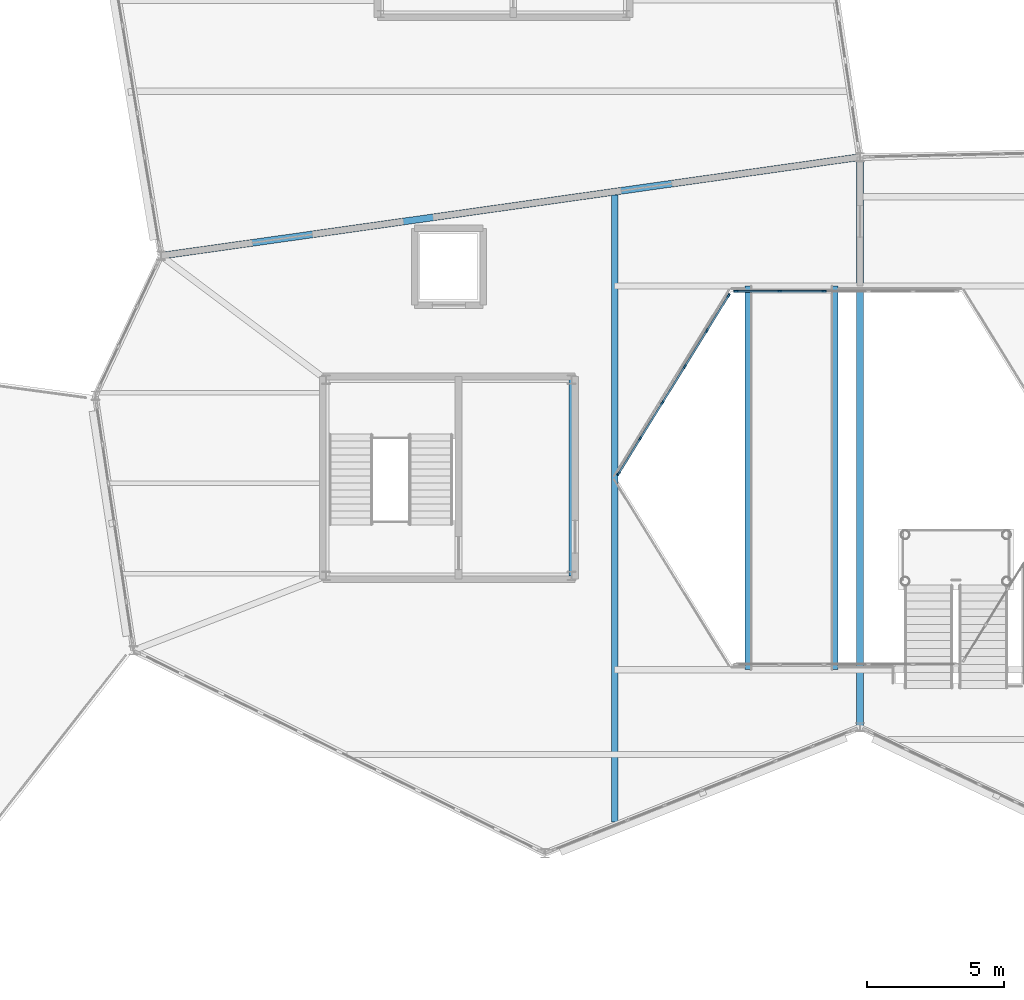
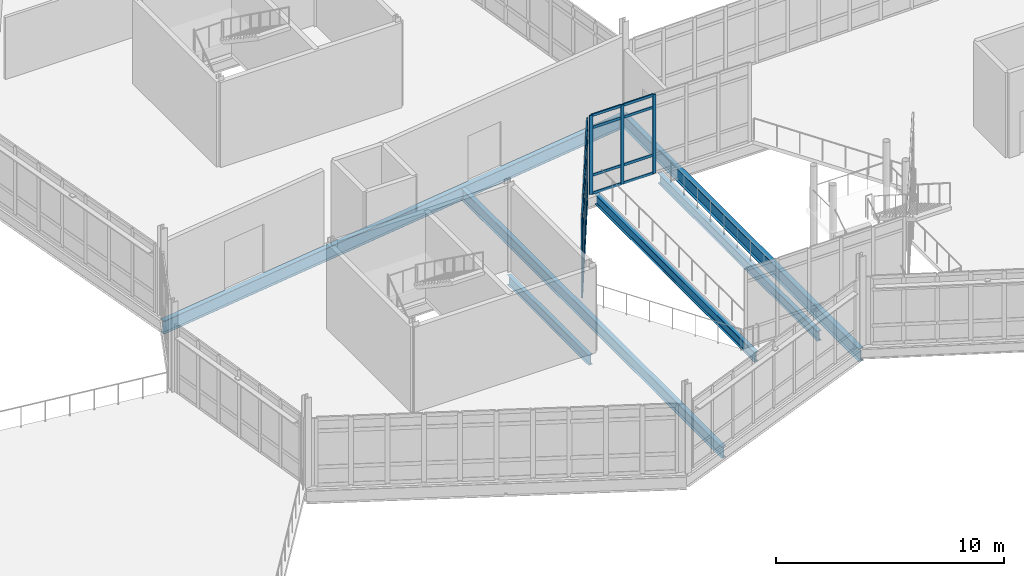
# One storey, part 34 of 114: 37 members, 6 beams, 2 elements without a shape of their own.
"""IFC4 building model written with IfcOpenShell, lengths in metres."""

from ifc_helpers import new_model, si_unit, direction, frame, origin, origin_2d, place, context, subcontext, project, spatial, rectangle, i_section, extrude, material, material_profile, profile_set, type_object, element, aggregate, save


model = new_model("IFC4")

# Units and contexts
model_context = context("Model", 3, precision=1e-05, world=origin(), true_north=direction((0.0, 1.0)))
body_context = subcontext(model_context, "Body", "Model", "MODEL_VIEW")
ifc_project = project(units=[si_unit("LENGTHUNIT", "METRE"), si_unit("AREAUNIT", "SQUARE_METRE"), si_unit("VOLUMEUNIT", "CUBIC_METRE"), si_unit("PLANEANGLEUNIT", "RADIAN"), si_unit("MASSUNIT", "GRAM", prefix="KILO")], contexts=[model_context])

# Site, building, storey
site_placement = place(None, origin())
site = spatial("IfcSite", under=ifc_project, at=site_placement, CompositionType="ELEMENT")
building_placement = place(site_placement, origin())
building = spatial("IfcBuilding", under=site, at=building_placement, Name="Tameran Prism Museum", CompositionType="ELEMENT")
storey_placement = place(building_placement, frame((0.0, 0.0, 10.199951171875)))
storey = spatial("IfcBuildingStorey", under=building, at=storey_placement, Name="L02", CompositionType="ELEMENT", Elevation=10.199951171875)

# Beams
ifc_material_1 = material(Name="Steel Grade 300PLUS (300 MPa)", Category="steel")
ifc_material_profile_1 = material_profile(ifc_material_1, i_section(OverallWidth=0.208984375, OverallDepth=0.532958984375, WebThickness=0.01025390625, FlangeThickness=0.015625, FilletRadius=0.013916015625, at=origin_2d()))
ifc_profile_set_1 = profile_set([ifc_material_profile_1])
beam_type_1 = type_object("IfcBeamType", Name="BM-SP530A", PredefinedType="SPANDREL", material=ifc_profile_set_1)
for number, where, z_axis, x_axis, name in (
    (1, (73.39990234375, 29.5, -0.5), (0.0, 1.0, 0.0), (-1.0, 0.0, 0.0), "Atrium Bridge Girder BG-1452"),
    (2, (76.60009765625, 29.5, -0.5), (0.0, 1.0, 0.0), (-1.0, 0.0, 0.0), "Atrium Bridge Girder BG-1453"),
):
    element("IfcBeam", number, at=place(storey_placement, frame(where, z_axis=z_axis, x_axis=x_axis)), inside=storey, type_object=beam_type_1, Name=name, PredefinedType="SPANDREL", context=body_context, shape_type="SweptSolid", body=[
        extrude(i_section(OverallWidth=0.208984375, OverallDepth=0.532958984375, WebThickness=0.01025390625, FlangeThickness=0.015625, FilletRadius=0.013916015625, at=origin_2d()), origin(), (0.0, 0.0, 1.0), 14.0),
    ])
ifc_material_2 = material(Name="Steel Grade 300PLUS (300 MPa)", Category="steel")
ifc_material_profile_2 = material_profile(ifc_material_2, i_section(OverallWidth=0.208984375, OverallDepth=0.528076171875, WebThickness=0.009521484375, FlangeThickness=0.01318359375, FilletRadius=0.013916015625, at=origin_2d()))
ifc_profile_set_2 = profile_set([ifc_material_profile_2])
beam_type_2 = type_object("IfcBeamType", Name="BM-SP530B", PredefinedType="SPANDREL", material=ifc_profile_set_2)
beam_1_placement = place(storey_placement, frame((66.97998046875, 32.919921875, -0.50390625), z_axis=(0.0, 1.0, 0.0), x_axis=(-1.0, 0.0, 0.0)))
element("IfcBeam", 3, at=beam_1_placement, inside=storey, type_object=beam_type_2, Name="Core Ring Beam CTB-0770", PredefinedType="SPANDREL", context=body_context, shape_type="SweptSolid", body=[
    extrude(i_section(OverallWidth=0.208984375, OverallDepth=0.528076171875, WebThickness=0.009521484375, FlangeThickness=0.01318359375, FilletRadius=0.013916015625, at=origin_2d()), origin(), (0.0, 0.0, 1.0), 7.16015625),
])
ifc_material_3 = material(Name="Steel Grade 350 (350 MPa)", Category="steel")
ifc_material_profile_3 = material_profile(ifc_material_3, i_section(OverallWidth=0.25, OverallDepth=0.699951171875, WebThickness=0.010009765625, FlangeThickness=0.02001953125, at=origin_2d()))
ifc_profile_set_3 = profile_set([ifc_material_profile_3])
beam_type_3 = type_object("IfcBeamType", Name="BM-SP700", PredefinedType="SPANDREL", material=ifc_profile_set_3)
beam_2_placement = place(storey_placement, frame((77.5, 27.39990234375, -0.550048828125), z_axis=(0.0, 1.0, 0.0), x_axis=(-1.0, 0.0, 0.0)))
element("IfcBeam", 4, at=beam_2_placement, inside=storey, type_object=beam_type_3, Name="Perimeter Spandrel SP-0682", PredefinedType="SPANDREL", context=body_context, shape_type="SweptSolid", body=[
    extrude(i_section(OverallWidth=0.25, OverallDepth=0.699951171875, WebThickness=0.010009765625, FlangeThickness=0.02001953125, at=origin_2d()), origin(), (0.0, 0.0, 1.0), 20.800048828125),
])
beam_3_placement = place(storey_placement, frame((77.5, 48.199951171875, -0.550048828125), z_axis=(-0.990181921375, -0.139784700815, 0.0), x_axis=(0.139784700815, -0.990181921375, 0.0)))
element("IfcBeam", 5, at=beam_3_placement, inside=storey, type_object=beam_type_3, Name="Perimeter Spandrel SP-0683", PredefinedType="SPANDREL", context=body_context, shape_type="SweptSolid", body=[
    extrude(i_section(OverallWidth=0.25, OverallDepth=0.699951171875, WebThickness=0.010009765625, FlangeThickness=0.02001953125, at=origin_2d()), origin(), (0.0, 0.0, 1.0), 25.7529296875),
])
ifc_material_4 = material(Name="Steel Grade 300PLUS (300 MPa)", Category="steel")
ifc_material_profile_4 = material_profile(ifc_material_4, i_section(OverallWidth=0.22900390625, OverallDepth=0.612060546875, WebThickness=0.011962890625, FlangeThickness=0.01953125, FilletRadius=0.013916015625, at=origin_2d()))
ifc_profile_set_4 = profile_set([ifc_material_profile_4])
beam_type_4 = type_object("IfcBeamType", Name="BM-UB610A", PredefinedType="BEAM", material=ifc_profile_set_4)
beam_4_placement = place(storey_placement, frame((68.550048828125, 23.93798828125, -0.5458984375), z_axis=(0.0, 1.0, 0.0), x_axis=(-1.0, 0.0, 0.0)))
element("IfcBeam", 6, at=beam_4_placement, inside=storey, type_object=beam_type_4, Name="Atrium Opening Trimmer Girder AT-0807", PredefinedType="BEAM", context=body_context, shape_type="SweptSolid", body=[
    extrude(i_section(OverallWidth=0.22900390625, OverallDepth=0.612060546875, WebThickness=0.011962890625, FlangeThickness=0.01953125, FilletRadius=0.013916015625, at=origin_2d()), origin(), (0.0, 0.0, 1.0), 22.886962890625),
])

# Curtain wall, members
ifc_material_5 = material(Name="Anodised Aluminium 6063-T6 and Cyclone Solar Glass", Category="aluminium")
curtain_wall_type_1 = type_object("IfcCurtainWallType", Name="CW-ATR-810x424", PredefinedType="USERDEFINED", material=ifc_material_5)
curtain_wall_1_placement = place(storey_placement, origin())
curtain_wall_1 = element("IfcCurtainWall", 7, at=curtain_wall_1_placement, inside=storey, type_object=curtain_wall_type_1, Name="Unitised Curtain Wall CW-009", ObjectType="UNITISED CURTAIN WALL", PredefinedType="USERDEFINED")
ifc_material_6 = material(Name="Anodised Aluminium Alloy 6063-T6", Category="aluminium")
ifc_material_profile_5 = material_profile(ifc_material_6, rectangle(XDim=0.06494140625, YDim=0.159912109375, at=origin_2d()))
ifc_profile_set_5 = profile_set([ifc_material_profile_5])
member_type_1 = type_object("IfcMemberType", Name="CW-MUL-A", PredefinedType="MULLION", material=ifc_profile_set_5)
member_1_placement = place(storey_placement, frame((76.18994140625, 43.300048828125, 0.0), z_axis=(0.0, 0.0, 1.0), x_axis=(0.0, -1.0, 0.0)))
member_1 = element("IfcMember", 8, at=member_1_placement, type_object=member_type_1, Name="CW-009 mullion 4", PredefinedType="MULLION", context=body_context, shape_type="SweptSolid", body=[
    extrude(rectangle(XDim=0.06494140625, YDim=0.159912109375, at=origin_2d()), origin(), (0.0, 0.0, 1.0), 4.239990234375),
])
member_2_placement = place(storey_placement, frame((74.570068359375, 43.300048828125, 0.0), z_axis=(0.0, 0.0, 1.0), x_axis=(0.0, -1.0, 0.0)))
member_2 = element("IfcMember", 9, at=member_2_placement, type_object=member_type_1, Name="CW-009 mullion 5", PredefinedType="MULLION", context=body_context, shape_type="SweptSolid", body=[
    extrude(rectangle(XDim=0.06494140625, YDim=0.159912109375, at=origin_2d()), origin(), (0.0, 0.0, 1.0), 4.239990234375),
])
member_3_placement = place(storey_placement, frame((72.982421875, 43.300048828125, 0.0), z_axis=(0.0, 0.0, 1.0), x_axis=(0.0, -1.0, 0.0)))
member_3 = element("IfcMember", 10, at=member_3_placement, type_object=member_type_1, Name="CW-009 mullion 6", PredefinedType="MULLION", context=body_context, shape_type="SweptSolid", body=[
    extrude(rectangle(XDim=0.06494140625, YDim=0.159912109375, at=origin_2d()), origin(), (0.0, 0.0, 1.0), 4.239990234375),
])

ifc_material_7 = material(Name="Anodised Aluminium 6063-T6 and Cyclone Solar Glass", Category="aluminium")
curtain_wall_type_2 = type_object("IfcCurtainWallType", Name="CW-ATR-769x424", PredefinedType="USERDEFINED", material=ifc_material_7)
curtain_wall_2_placement = place(storey_placement, origin())
curtain_wall_2 = element("IfcCurtainWall", 11, at=curtain_wall_2_placement, inside=storey, type_object=curtain_wall_type_2, Name="Unitised Curtain Wall CW-010", ObjectType="UNITISED CURTAIN WALL", PredefinedType="USERDEFINED")
member_4_placement = place(storey_placement, frame((72.703857421875, 43.144287109375, 0.0), z_axis=(0.0, 0.0, 1.0), x_axis=(0.850791158897, -0.525503952357, 0.0)))
member_4 = element("IfcMember", 12, at=member_4_placement, type_object=member_type_1, Name="CW-010 mullion 1", PredefinedType="MULLION", context=body_context, shape_type="SweptSolid", body=[
    extrude(rectangle(XDim=0.06494140625, YDim=0.159912109375, at=origin_2d()), origin(), (0.0, 0.0, 1.0), 4.239990234375),
])
member_5_placement = place(storey_placement, frame((71.91259765625, 41.86328125, 0.0), z_axis=(0.0, 0.0, 1.0), x_axis=(0.850791158897, -0.525503952357, 0.0)))
member_5 = element("IfcMember", 13, at=member_5_placement, type_object=member_type_1, Name="CW-010 mullion 2", PredefinedType="MULLION", context=body_context, shape_type="SweptSolid", body=[
    extrude(rectangle(XDim=0.06494140625, YDim=0.159912109375, at=origin_2d()), origin(), (0.0, 0.0, 1.0), 4.239990234375),
])
member_6_placement = place(storey_placement, frame((71.104248046875, 40.554443359375, 0.0), z_axis=(0.0, 0.0, 1.0), x_axis=(0.850791158897, -0.525503952357, 0.0)))
member_6 = element("IfcMember", 14, at=member_6_placement, type_object=member_type_1, Name="CW-010 mullion 3", PredefinedType="MULLION", context=body_context, shape_type="SweptSolid", body=[
    extrude(rectangle(XDim=0.06494140625, YDim=0.159912109375, at=origin_2d()), origin(), (0.0, 0.0, 1.0), 4.239990234375),
])
member_7_placement = place(storey_placement, frame((70.2958984375, 39.24560546875, 0.0), z_axis=(0.0, 0.0, 1.0), x_axis=(0.850791158897, -0.525503952357, 0.0)))
member_7 = element("IfcMember", 15, at=member_7_placement, type_object=member_type_1, Name="CW-010 mullion 4", PredefinedType="MULLION", context=body_context, shape_type="SweptSolid", body=[
    extrude(rectangle(XDim=0.06494140625, YDim=0.159912109375, at=origin_2d()), origin(), (0.0, 0.0, 1.0), 4.239990234375),
])
member_8_placement = place(storey_placement, frame((69.4873046875, 37.936767578125, 0.0), z_axis=(0.0, 0.0, 1.0), x_axis=(0.850791158897, -0.525503952357, 0.0)))
member_8 = element("IfcMember", 16, at=member_8_placement, type_object=member_type_1, Name="CW-010 mullion 5", PredefinedType="MULLION", context=body_context, shape_type="SweptSolid", body=[
    extrude(rectangle(XDim=0.06494140625, YDim=0.159912109375, at=origin_2d()), origin(), (0.0, 0.0, 1.0), 4.239990234375),
])
member_9_placement = place(storey_placement, frame((68.696044921875, 36.65576171875, 0.0), z_axis=(0.0, 0.0, 1.0), x_axis=(0.850791158897, -0.525503952357, 0.0)))
member_9 = element("IfcMember", 17, at=member_9_placement, type_object=member_type_1, Name="CW-010 mullion 6", PredefinedType="MULLION", context=body_context, shape_type="SweptSolid", body=[
    extrude(rectangle(XDim=0.06494140625, YDim=0.159912109375, at=origin_2d()), origin(), (0.0, 0.0, 1.0), 4.239990234375),
])

# Member
ifc_material_8 = material(Name="Anodised Aluminium Alloy 6063-T6", Category="aluminium")
ifc_material_profile_6 = material_profile(ifc_material_8, rectangle(XDim=0.06494140625, YDim=0.139892578125, at=origin_2d()))
ifc_profile_set_6 = profile_set([ifc_material_profile_6])
member_type_2 = type_object("IfcMemberType", Name="CW-TRN-A", PredefinedType="USERDEFINED", material=ifc_profile_set_6)
member_10_placement = place(storey_placement, frame((76.157470703125, 43.300048828125, 0.032470703125), z_axis=(-1.0, 0.0, 0.0), x_axis=(0.0, -1.0, 0.0)))
member_10 = element("IfcMember", 18, at=member_10_placement, type_object=member_type_2, Name="CW-009 transom 4.1", ObjectType="TRANSOM", PredefinedType="USERDEFINED", context=body_context, shape_type="SweptSolid", body=[
    extrude(rectangle(XDim=0.06494140625, YDim=0.139892578125, at=origin_2d()), origin(), (0.0, 0.0, 1.0), 1.554931640625),
])

member_11_placement = place(storey_placement, frame((76.157470703125, 43.300048828125, 1.0), z_axis=(-1.0, 0.0, 0.0), x_axis=(0.0, -1.0, 0.0)))
member_11 = element("IfcMember", 19, at=member_11_placement, type_object=member_type_2, Name="CW-009 transom 4.2", ObjectType="TRANSOM", PredefinedType="USERDEFINED", context=body_context, shape_type="SweptSolid", body=[
    extrude(rectangle(XDim=0.06494140625, YDim=0.139892578125, at=origin_2d()), origin(), (0.0, 0.0, 1.0), 1.554931640625),
])

member_12_placement = place(storey_placement, frame((76.157470703125, 43.300048828125, 3.56005859375), z_axis=(-1.0, 0.0, 0.0), x_axis=(0.0, -1.0, 0.0)))
member_12 = element("IfcMember", 20, at=member_12_placement, type_object=member_type_2, Name="CW-009 transom 4.3", ObjectType="TRANSOM", PredefinedType="USERDEFINED", context=body_context, shape_type="SweptSolid", body=[
    extrude(rectangle(XDim=0.06494140625, YDim=0.139892578125, at=origin_2d()), origin(), (0.0, 0.0, 1.0), 1.554931640625),
])

member_13_placement = place(storey_placement, frame((76.157470703125, 43.300048828125, 4.20751953125), z_axis=(-1.0, 0.0, 0.0), x_axis=(0.0, -1.0, 0.0)))
member_13 = element("IfcMember", 21, at=member_13_placement, type_object=member_type_2, Name="CW-009 transom 4.4", ObjectType="TRANSOM", PredefinedType="USERDEFINED", context=body_context, shape_type="SweptSolid", body=[
    extrude(rectangle(XDim=0.06494140625, YDim=0.139892578125, at=origin_2d()), origin(), (0.0, 0.0, 1.0), 1.554931640625),
])

member_14_placement = place(storey_placement, frame((74.53759765625, 43.300048828125, 0.032470703125), z_axis=(-1.0, 0.0, 0.0), x_axis=(0.0, -1.0, 0.0)))
member_14 = element("IfcMember", 22, at=member_14_placement, type_object=member_type_2, Name="CW-009 transom 5.1", ObjectType="TRANSOM", PredefinedType="USERDEFINED", context=body_context, shape_type="SweptSolid", body=[
    extrude(rectangle(XDim=0.06494140625, YDim=0.139892578125, at=origin_2d()), origin(), (0.0, 0.0, 1.0), 1.522705078125),
])

member_15_placement = place(storey_placement, frame((74.53759765625, 43.300048828125, 1.0), z_axis=(-1.0, 0.0, 0.0), x_axis=(0.0, -1.0, 0.0)))
member_15 = element("IfcMember", 23, at=member_15_placement, type_object=member_type_2, Name="CW-009 transom 5.2", ObjectType="TRANSOM", PredefinedType="USERDEFINED", context=body_context, shape_type="SweptSolid", body=[
    extrude(rectangle(XDim=0.06494140625, YDim=0.139892578125, at=origin_2d()), origin(), (0.0, 0.0, 1.0), 1.522705078125),
])

member_16_placement = place(storey_placement, frame((74.53759765625, 43.300048828125, 3.56005859375), z_axis=(-1.0, 0.0, 0.0), x_axis=(0.0, -1.0, 0.0)))
member_16 = element("IfcMember", 24, at=member_16_placement, type_object=member_type_2, Name="CW-009 transom 5.3", ObjectType="TRANSOM", PredefinedType="USERDEFINED", context=body_context, shape_type="SweptSolid", body=[
    extrude(rectangle(XDim=0.06494140625, YDim=0.139892578125, at=origin_2d()), origin(), (0.0, 0.0, 1.0), 1.522705078125),
])

member_17_placement = place(storey_placement, frame((74.53759765625, 43.300048828125, 4.20751953125), z_axis=(-1.0, 0.0, 0.0), x_axis=(0.0, -1.0, 0.0)))
member_17 = element("IfcMember", 25, at=member_17_placement, type_object=member_type_2, Name="CW-009 transom 5.4", ObjectType="TRANSOM", PredefinedType="USERDEFINED", context=body_context, shape_type="SweptSolid", body=[
    extrude(rectangle(XDim=0.06494140625, YDim=0.139892578125, at=origin_2d()), origin(), (0.0, 0.0, 1.0), 1.522705078125),
])

aggregate(curtain_wall_1, [member_1, member_2, member_3, member_10, member_11, member_12, member_13, member_14, member_15, member_16, member_17])

member_18_placement = place(storey_placement, frame((72.686767578125, 43.11669921875, 0.032470703125), z_axis=(-0.525467627301, -0.850813594543, 0.0), x_axis=(0.850813594543, -0.525467627301, 0.0)))
member_18 = element("IfcMember", 26, at=member_18_placement, type_object=member_type_2, Name="CW-010 transom 1.1", ObjectType="TRANSOM", PredefinedType="USERDEFINED", context=body_context, shape_type="SweptSolid", body=[
    extrude(rectangle(XDim=0.06494140625, YDim=0.139892578125, at=origin_2d()), origin(), (0.0, 0.0, 1.0), 1.440673828125),
])

member_19_placement = place(storey_placement, frame((72.686767578125, 43.11669921875, 1.0), z_axis=(-0.525467627301, -0.850813594543, 0.0), x_axis=(0.850813594543, -0.525467627301, 0.0)))
member_19 = element("IfcMember", 27, at=member_19_placement, type_object=member_type_2, Name="CW-010 transom 1.2", ObjectType="TRANSOM", PredefinedType="USERDEFINED", context=body_context, shape_type="SweptSolid", body=[
    extrude(rectangle(XDim=0.06494140625, YDim=0.139892578125, at=origin_2d()), origin(), (0.0, 0.0, 1.0), 1.440673828125),
])

member_20_placement = place(storey_placement, frame((72.686767578125, 43.11669921875, 3.56005859375), z_axis=(-0.525467627301, -0.850813594543, 0.0), x_axis=(0.850813594543, -0.525467627301, 0.0)))
member_20 = element("IfcMember", 28, at=member_20_placement, type_object=member_type_2, Name="CW-010 transom 1.3", ObjectType="TRANSOM", PredefinedType="USERDEFINED", context=body_context, shape_type="SweptSolid", body=[
    extrude(rectangle(XDim=0.06494140625, YDim=0.139892578125, at=origin_2d()), origin(), (0.0, 0.0, 1.0), 1.440673828125),
])

member_21_placement = place(storey_placement, frame((72.686767578125, 43.11669921875, 4.20751953125), z_axis=(-0.525467627301, -0.850813594543, 0.0), x_axis=(0.850813594543, -0.525467627301, 0.0)))
member_21 = element("IfcMember", 29, at=member_21_placement, type_object=member_type_2, Name="CW-010 transom 1.4", ObjectType="TRANSOM", PredefinedType="USERDEFINED", context=body_context, shape_type="SweptSolid", body=[
    extrude(rectangle(XDim=0.06494140625, YDim=0.139892578125, at=origin_2d()), origin(), (0.0, 0.0, 1.0), 1.440673828125),
])

member_22_placement = place(storey_placement, frame((71.8955078125, 41.83544921875, 0.032470703125), z_axis=(-0.525492880722, -0.850797997359, 0.0), x_axis=(0.850797997359, -0.525492880722, 0.0)))
member_22 = element("IfcMember", 30, at=member_22_placement, type_object=member_type_2, Name="CW-010 transom 2.1", ObjectType="TRANSOM", PredefinedType="USERDEFINED", context=body_context, shape_type="SweptSolid", body=[
    extrude(rectangle(XDim=0.06494140625, YDim=0.139892578125, at=origin_2d()), origin(), (0.0, 0.0, 1.0), 1.47314453125),
])

member_23_placement = place(storey_placement, frame((71.8955078125, 41.83544921875, 1.0), z_axis=(-0.525492880722, -0.850797997359, 0.0), x_axis=(0.850797997359, -0.525492880722, 0.0)))
member_23 = element("IfcMember", 31, at=member_23_placement, type_object=member_type_2, Name="CW-010 transom 2.2", ObjectType="TRANSOM", PredefinedType="USERDEFINED", context=body_context, shape_type="SweptSolid", body=[
    extrude(rectangle(XDim=0.06494140625, YDim=0.139892578125, at=origin_2d()), origin(), (0.0, 0.0, 1.0), 1.47314453125),
])

member_24_placement = place(storey_placement, frame((71.8955078125, 41.83544921875, 3.56005859375), z_axis=(-0.525492880722, -0.850797997359, 0.0), x_axis=(0.850797997359, -0.525492880722, 0.0)))
member_24 = element("IfcMember", 32, at=member_24_placement, type_object=member_type_2, Name="CW-010 transom 2.3", ObjectType="TRANSOM", PredefinedType="USERDEFINED", context=body_context, shape_type="SweptSolid", body=[
    extrude(rectangle(XDim=0.06494140625, YDim=0.139892578125, at=origin_2d()), origin(), (0.0, 0.0, 1.0), 1.47314453125),
])

member_25_placement = place(storey_placement, frame((71.8955078125, 41.83544921875, 4.20751953125), z_axis=(-0.525492880722, -0.850797997359, 0.0), x_axis=(0.850797997359, -0.525492880722, 0.0)))
member_25 = element("IfcMember", 33, at=member_25_placement, type_object=member_type_2, Name="CW-010 transom 2.4", ObjectType="TRANSOM", PredefinedType="USERDEFINED", context=body_context, shape_type="SweptSolid", body=[
    extrude(rectangle(XDim=0.06494140625, YDim=0.139892578125, at=origin_2d()), origin(), (0.0, 0.0, 1.0), 1.47314453125),
])

member_26_placement = place(storey_placement, frame((71.087158203125, 40.52685546875, 0.032470703125), z_axis=(-0.525418798442, -0.850843749606, 0.0), x_axis=(0.850843749606, -0.525418798442, 0.0)))
member_26 = element("IfcMember", 34, at=member_26_placement, type_object=member_type_2, Name="CW-010 transom 3.1", ObjectType="TRANSOM", PredefinedType="USERDEFINED", context=body_context, shape_type="SweptSolid", body=[
    extrude(rectangle(XDim=0.06494140625, YDim=0.139892578125, at=origin_2d()), origin(), (0.0, 0.0, 1.0), 1.473388671875),
])

member_27_placement = place(storey_placement, frame((71.087158203125, 40.52685546875, 1.0), z_axis=(-0.525418798442, -0.850843749606, 0.0), x_axis=(0.850843749606, -0.525418798442, 0.0)))
member_27 = element("IfcMember", 35, at=member_27_placement, type_object=member_type_2, Name="CW-010 transom 3.2", ObjectType="TRANSOM", PredefinedType="USERDEFINED", context=body_context, shape_type="SweptSolid", body=[
    extrude(rectangle(XDim=0.06494140625, YDim=0.139892578125, at=origin_2d()), origin(), (0.0, 0.0, 1.0), 1.473388671875),
])

member_28_placement = place(storey_placement, frame((71.087158203125, 40.52685546875, 3.56005859375), z_axis=(-0.525418798442, -0.850843749606, 0.0), x_axis=(0.850843749606, -0.525418798442, 0.0)))
member_28 = element("IfcMember", 36, at=member_28_placement, type_object=member_type_2, Name="CW-010 transom 3.3", ObjectType="TRANSOM", PredefinedType="USERDEFINED", context=body_context, shape_type="SweptSolid", body=[
    extrude(rectangle(XDim=0.06494140625, YDim=0.139892578125, at=origin_2d()), origin(), (0.0, 0.0, 1.0), 1.473388671875),
])

member_29_placement = place(storey_placement, frame((71.087158203125, 40.52685546875, 4.20751953125), z_axis=(-0.525418798442, -0.850843749606, 0.0), x_axis=(0.850843749606, -0.525418798442, 0.0)))
member_29 = element("IfcMember", 37, at=member_29_placement, type_object=member_type_2, Name="CW-010 transom 3.4", ObjectType="TRANSOM", PredefinedType="USERDEFINED", context=body_context, shape_type="SweptSolid", body=[
    extrude(rectangle(XDim=0.06494140625, YDim=0.139892578125, at=origin_2d()), origin(), (0.0, 0.0, 1.0), 1.473388671875),
])

member_30_placement = place(storey_placement, frame((70.27880859375, 39.218017578125, 0.032470703125), z_axis=(-0.525538735192, -0.850769673774, 0.0), x_axis=(0.850769673774, -0.525538735192, 0.0)))
member_30 = element("IfcMember", 38, at=member_30_placement, type_object=member_type_2, Name="CW-010 transom 4.1", ObjectType="TRANSOM", PredefinedType="USERDEFINED", context=body_context, shape_type="SweptSolid", body=[
    extrude(rectangle(XDim=0.06494140625, YDim=0.139892578125, at=origin_2d()), origin(), (0.0, 0.0, 1.0), 1.4736328125),
])

member_31_placement = place(storey_placement, frame((70.27880859375, 39.218017578125, 1.0), z_axis=(-0.525538735192, -0.850769673774, 0.0), x_axis=(0.850769673774, -0.525538735192, 0.0)))
member_31 = element("IfcMember", 39, at=member_31_placement, type_object=member_type_2, Name="CW-010 transom 4.2", ObjectType="TRANSOM", PredefinedType="USERDEFINED", context=body_context, shape_type="SweptSolid", body=[
    extrude(rectangle(XDim=0.06494140625, YDim=0.139892578125, at=origin_2d()), origin(), (0.0, 0.0, 1.0), 1.4736328125),
])

member_32_placement = place(storey_placement, frame((70.27880859375, 39.218017578125, 3.56005859375), z_axis=(-0.525538735192, -0.850769673774, 0.0), x_axis=(0.850769673774, -0.525538735192, 0.0)))
member_32 = element("IfcMember", 40, at=member_32_placement, type_object=member_type_2, Name="CW-010 transom 4.3", ObjectType="TRANSOM", PredefinedType="USERDEFINED", context=body_context, shape_type="SweptSolid", body=[
    extrude(rectangle(XDim=0.06494140625, YDim=0.139892578125, at=origin_2d()), origin(), (0.0, 0.0, 1.0), 1.4736328125),
])

member_33_placement = place(storey_placement, frame((70.27880859375, 39.218017578125, 4.20751953125), z_axis=(-0.525538735192, -0.850769673774, 0.0), x_axis=(0.850769673774, -0.525538735192, 0.0)))
member_33 = element("IfcMember", 41, at=member_33_placement, type_object=member_type_2, Name="CW-010 transom 4.4", ObjectType="TRANSOM", PredefinedType="USERDEFINED", context=body_context, shape_type="SweptSolid", body=[
    extrude(rectangle(XDim=0.06494140625, YDim=0.139892578125, at=origin_2d()), origin(), (0.0, 0.0, 1.0), 1.4736328125),
])

member_34_placement = place(storey_placement, frame((69.47021484375, 37.9091796875, 0.032470703125), z_axis=(-0.525467627301, -0.850813594543, 0.0), x_axis=(0.850813594543, -0.525467627301, 0.0)))
member_34 = element("IfcMember", 42, at=member_34_placement, type_object=member_type_2, Name="CW-010 transom 5.1", ObjectType="TRANSOM", PredefinedType="USERDEFINED", context=body_context, shape_type="SweptSolid", body=[
    extrude(rectangle(XDim=0.06494140625, YDim=0.139892578125, at=origin_2d()), origin(), (0.0, 0.0, 1.0), 1.440673828125),
])

member_35_placement = place(storey_placement, frame((69.47021484375, 37.9091796875, 1.0), z_axis=(-0.525467627301, -0.850813594543, 0.0), x_axis=(0.850813594543, -0.525467627301, 0.0)))
member_35 = element("IfcMember", 43, at=member_35_placement, type_object=member_type_2, Name="CW-010 transom 5.2", ObjectType="TRANSOM", PredefinedType="USERDEFINED", context=body_context, shape_type="SweptSolid", body=[
    extrude(rectangle(XDim=0.06494140625, YDim=0.139892578125, at=origin_2d()), origin(), (0.0, 0.0, 1.0), 1.440673828125),
])

member_36_placement = place(storey_placement, frame((69.47021484375, 37.9091796875, 3.56005859375), z_axis=(-0.525467627301, -0.850813594543, 0.0), x_axis=(0.850813594543, -0.525467627301, 0.0)))
member_36 = element("IfcMember", 44, at=member_36_placement, type_object=member_type_2, Name="CW-010 transom 5.3", ObjectType="TRANSOM", PredefinedType="USERDEFINED", context=body_context, shape_type="SweptSolid", body=[
    extrude(rectangle(XDim=0.06494140625, YDim=0.139892578125, at=origin_2d()), origin(), (0.0, 0.0, 1.0), 1.440673828125),
])

member_37_placement = place(storey_placement, frame((69.47021484375, 37.9091796875, 4.20751953125), z_axis=(-0.525467627301, -0.850813594543, 0.0), x_axis=(0.850813594543, -0.525467627301, 0.0)))
member_37 = element("IfcMember", 45, at=member_37_placement, type_object=member_type_2, Name="CW-010 transom 5.4", ObjectType="TRANSOM", PredefinedType="USERDEFINED", context=body_context, shape_type="SweptSolid", body=[
    extrude(rectangle(XDim=0.06494140625, YDim=0.139892578125, at=origin_2d()), origin(), (0.0, 0.0, 1.0), 1.440673828125),
])

aggregate(curtain_wall_2, [member_4, member_5, member_6, member_7, member_8, member_9, member_18, member_19, member_20, member_21, member_22, member_23, member_24, member_25, member_26, member_27, member_28, member_29, member_30, member_31, member_32, member_33, member_34, member_35, member_36, member_37])

save(model, "model.ifc")
